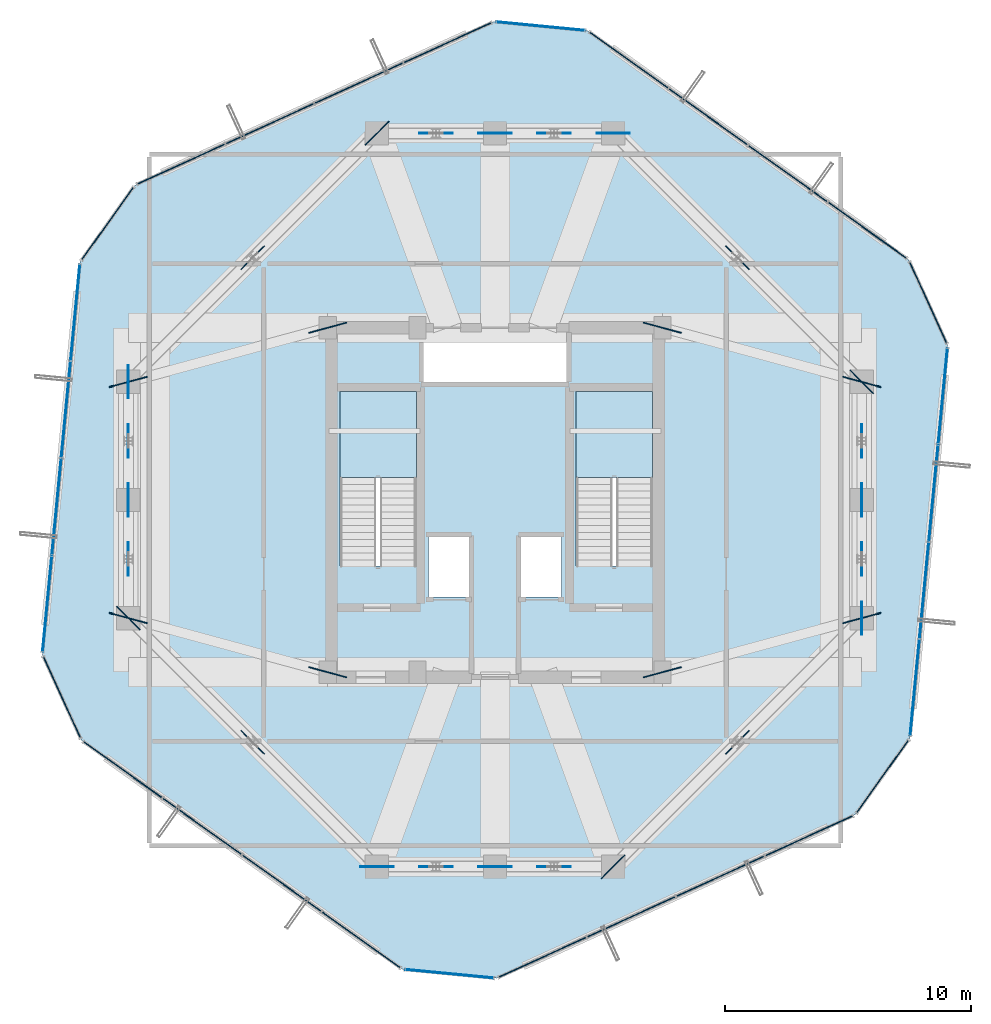
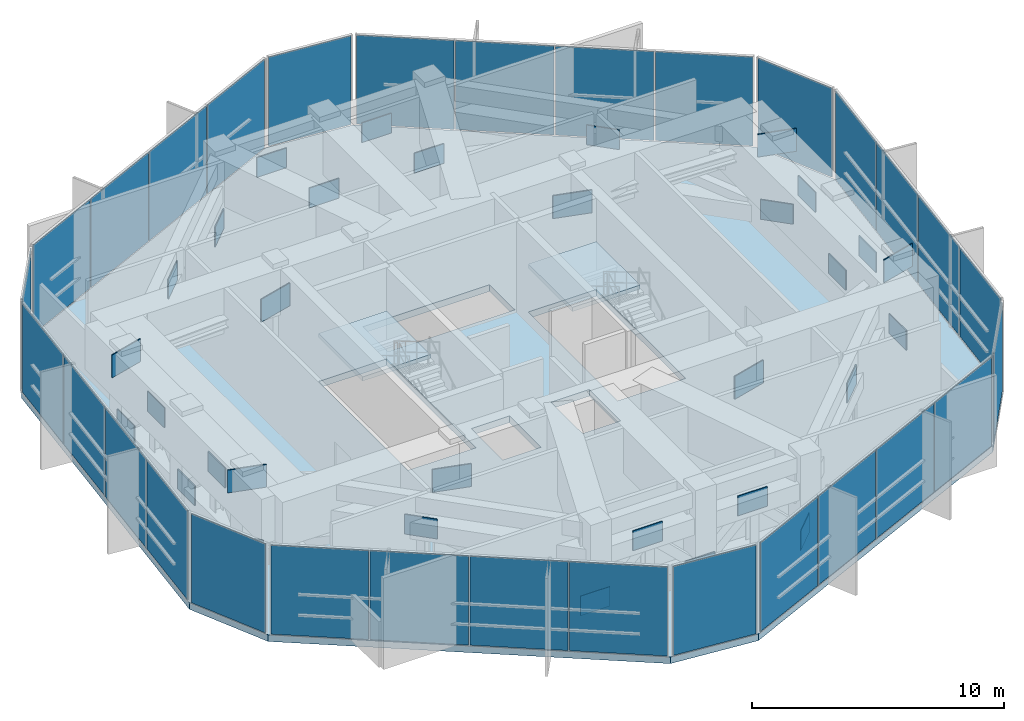
# One storey, part 27 of 31: 62 plates, 3 slabs, 14 elements without a shape of their own.
"""IFC4 building model written with IfcOpenShell, lengths in metres."""

from ifc_helpers import new_model, si_unit, direction, frame, origin, origin_2d, place, context, subcontext, project, spatial, polyline, rectangle, outline, extrude, source, transform, mapped, material, layer, layer_set, type_object, element, aggregate, save


model = new_model("IFC4")

# Units and contexts
model_context = context("Model", 3, precision=1e-05, world=origin(), true_north=direction((0.0, 1.0)))
body_context = subcontext(model_context, "Body", "Model", "MODEL_VIEW")
ifc_project = project(units=[si_unit("LENGTHUNIT", "METRE"), si_unit("AREAUNIT", "SQUARE_METRE"), si_unit("VOLUMEUNIT", "CUBIC_METRE"), si_unit("PLANEANGLEUNIT", "RADIAN"), si_unit("MASSUNIT", "GRAM", prefix="KILO")], contexts=[model_context])

# Site, building, storey
site_placement = place(None, origin())
site = spatial("IfcSite", under=ifc_project, at=site_placement, CompositionType="ELEMENT")
building_placement = place(site_placement, origin())
building = spatial("IfcBuilding", under=site, at=building_placement, Name="Veraguas Prism Commons", CompositionType="ELEMENT")
storey_placement = place(building_placement, frame((0.0, 0.0, 225.39990234375)))
storey = spatial("IfcBuildingStorey", under=building, at=storey_placement, Name="L64", CompositionType="ELEMENT", Elevation=225.39990234375)

# Slab
ifc_material_1 = material(Name="Concrete C45/55", Category="concrete")
ifc_layer_1 = layer(ifc_material_1, 0.320068359375, Name="Plant Refuge and Sky Lobby Slab RC 320", Category="concrete")
ifc_layer_set_1 = layer_set([ifc_layer_1], Name="Concrete C45/55")
slab_type_1 = type_object("IfcSlabType", Name="Plant Refuge and Sky Lobby Slab RC 320", PredefinedType="FLOOR", material=ifc_layer_set_1)
slab_1_placement = place(storey_placement, frame((0.0, 0.0, -0.31982421875)))
element("IfcSlab", 1, at=slab_1_placement, inside=storey, type_object=slab_type_1, Name="Tower Floor Slab L64", PredefinedType="FLOOR", context=body_context, shape_type="SweptSolid", body=[
    extrude(outline(polyline([(42.396484375, 30.27685546875), (40.806396484375, 33.76611328125), (27.76220703125, 43.0703125), (23.945556640625, 43.437744140625), (9.36572265625, 36.79345703125), (7.13916015625, 33.671875), (5.603515625, 17.72314453125), (7.193603515625, 14.23388671875), (20.23779296875, 4.9296875), (24.054443359375, 4.562255859375), (38.63427734375, 11.20654296875), (40.86083984375, 14.328125), (42.396484375, 30.27685546875)]), holes=[polyline([(20.800048828125, 21.31005859375), (20.800048828125, 28.39990234375), (17.68994140625, 28.39990234375), (17.68994140625, 21.31005859375), (20.800048828125, 21.31005859375)]), polyline([(30.39990234375, 21.31005859375), (30.39990234375, 28.39990234375), (27.2900390625, 28.39990234375), (27.2900390625, 21.31005859375), (30.39990234375, 21.31005859375)]), polyline([(21.10009765625, 28.800048828125), (26.89990234375, 28.800048828125), (26.89990234375, 30.800048828125), (21.10009765625, 30.800048828125), (21.10009765625, 28.800048828125)]), polyline([(21.300048828125, 20.050048828125), (23.050048828125, 20.050048828125), (23.050048828125, 22.550048828125), (21.300048828125, 22.550048828125), (21.300048828125, 20.050048828125)]), polyline([(24.949951171875, 20.050048828125), (26.699951171875, 20.050048828125), (26.699951171875, 22.550048828125), (24.949951171875, 22.550048828125), (24.949951171875, 20.050048828125)])]), origin(), (0.0, 0.0, 1.0), 0.31982421875),
])

# Stair, slab
ifc_material_2 = material(Name="Precast concrete C45/55", Category="concrete")
stair_type = type_object("IfcStairType", Name="Dogleg Core Stair 1480W 28R 07", PredefinedType="HALF_TURN_STAIR", material=ifc_material_2)
stair_1_placement = place(storey_placement, origin())
stair_1 = element("IfcStair", 2, at=stair_1_placement, inside=storey, type_object=stair_type, Name="Protected Exit Stair ST-01 L64", PredefinedType="HALF_TURN_STAIR")
ifc_layer_2 = layer(ifc_material_2, 0.199951171875, Name="Precast Stair and Ramp Landing Slab 200", Category="concrete")
ifc_layer_set_2 = layer_set([ifc_layer_2], Name="Precast concrete C45/55")
slab_type_2 = type_object("IfcSlabType", Name="Precast Stair and Ramp Landing Slab 200", PredefinedType="LANDING", material=ifc_layer_set_2)
slab_2_placement = place(storey_placement, frame((0.0, 0.0, 2.125)))
slab_2 = element("IfcSlab", 3, at=slab_2_placement, type_object=slab_type_2, Name="ST-07 Landing 1", PredefinedType="LANDING", context=body_context, shape_type="SweptSolid", body=[
    extrude(outline(polyline([(20.800048828125, 24.919921875), (20.800048828125, 28.39990234375), (17.68994140625, 28.39990234375), (17.68994140625, 24.919921875), (20.800048828125, 24.919921875)])), origin(), (0.0, 0.0, 1.0), 0.2001953125),
])
aggregate(stair_1, [slab_2])

stair_2_placement = place(storey_placement, origin())
stair_2 = element("IfcStair", 4, at=stair_2_placement, inside=storey, type_object=stair_type, Name="Protected Exit Stair ST-02 L64", PredefinedType="HALF_TURN_STAIR")
slab_3_placement = place(storey_placement, frame((0.0, 0.0, 2.125)))
slab_3 = element("IfcSlab", 5, at=slab_3_placement, type_object=slab_type_2, Name="ST-07 Landing 1", PredefinedType="LANDING", context=body_context, shape_type="SweptSolid", body=[
    extrude(outline(polyline([(30.39990234375, 24.919921875), (30.39990234375, 28.39990234375), (27.2900390625, 28.39990234375), (27.2900390625, 24.919921875), (30.39990234375, 24.919921875)])), origin(), (0.0, 0.0, 1.0), 0.2001953125),
])
aggregate(stair_2, [slab_3])

# Plates
ifc_material_3 = material(Name="Steel ASTM A572 Grade 50", Category="steel")
ifc_layer_3 = layer(ifc_material_3, 0.0400390625, Name="Belt Truss Node Gusset Plate 1350x950x40", Category="steel")
ifc_layer_set_3 = layer_set([ifc_layer_3], Name="Steel ASTM A572 Grade 50")
plate_type_1 = type_object("IfcPlateType", Name="Belt Truss Node Gusset Plate 1350x950x40", PredefinedType="USERDEFINED", material=ifc_layer_set_3)
shared_shape_1 = source(origin(), body_context, "Body", "SweptSolid", [
    extrude(rectangle(XDim=1.35009765625, YDim=0.0400390625, at=origin_2d()), origin(), (0.0, 0.0, 1.0), 0.949951171875),
])
for number, where, z_axis, x_axis, name in (
    (6, (38.89990234375, 21.60009765625, 2.39013671875), (0.0, 0.0, 1.0), (0.0, 1.0, 0.0), "Belt Truss Node Gusset KN2-L64-01"),
    (7, (38.89990234375, 19.199951171875, 0.0751953125), (0.0, 0.0, 1.0), (0.0, 1.0, 0.0), "Belt Truss Column Foot Gusset L64-01"),
    (8, (38.89990234375, 26.39990234375, 2.39013671875), (0.0, 0.0, 1.0), (0.0, 1.0, 0.0), "Belt Truss Node Gusset KN2-L64-02"),
    (9, (38.89990234375, 24.0, 0.0751953125), (0.0, 0.0, 1.0), (0.0, 1.0, 0.0), "Belt Truss Column Foot Gusset L64-02"),
    (10, (33.85009765625, 33.85009765625, 2.39013671875), (0.0, 0.0, 1.0), (-0.707106781187, 0.707106781187, 0.0), "Belt Truss Node Gusset KN2-L64-03"),
    (11, (38.89990234375, 28.800048828125, 0.0751953125), (0.0, 0.0, 1.0), (-0.707106781187, 0.707106781187, 0.0), "Belt Truss Column Foot Gusset L64-03"),
    (12, (26.39990234375, 38.89990234375, 2.39013671875), (0.0, 0.0, 1.0), (-1.0, 0.0, 0.0), "Belt Truss Node Gusset KN2-L64-04"),
    (13, (28.800048828125, 38.89990234375, 0.0751953125), (0.0, 0.0, 1.0), (-1.0, 0.0, 0.0), "Belt Truss Column Foot Gusset L64-04"),
    (14, (21.60009765625, 38.89990234375, 2.39013671875), (0.0, 0.0, 1.0), (-1.0, 0.0, 0.0), "Belt Truss Node Gusset KN2-L64-05"),
    (15, (24.0, 38.89990234375, 0.0751953125), (0.0, 0.0, 1.0), (-1.0, 0.0, 0.0), "Belt Truss Column Foot Gusset L64-05"),
    (16, (14.14990234375, 33.85009765625, 2.39013671875), (0.0, 0.0, 1.0), (-0.707106781187, -0.707106781187, 0.0), "Belt Truss Node Gusset KN2-L64-06"),
    (17, (19.199951171875, 38.89990234375, 0.0751953125), (0.0, 0.0, 1.0), (-0.707106781187, -0.707106781187, 0.0), "Belt Truss Column Foot Gusset L64-06"),
    (18, (9.10009765625, 26.39990234375, 2.39013671875), (0.0, 0.0, 1.0), (0.0, -1.0, 0.0), "Belt Truss Node Gusset KN2-L64-07"),
    (19, (9.10009765625, 28.800048828125, 0.0751953125), (0.0, 0.0, 1.0), (0.0, -1.0, 0.0), "Belt Truss Column Foot Gusset L64-07"),
    (20, (9.10009765625, 21.60009765625, 2.39013671875), (0.0, 0.0, 1.0), (0.0, -1.0, 0.0), "Belt Truss Node Gusset KN2-L64-08"),
    (21, (9.10009765625, 24.0, 0.0751953125), (0.0, 0.0, 1.0), (0.0, -1.0, 0.0), "Belt Truss Column Foot Gusset L64-08"),
    (22, (14.14990234375, 14.14990234375, 2.39013671875), (0.0, 0.0, 1.0), (0.707106781187, -0.707106781187, 0.0), "Belt Truss Node Gusset KN2-L64-09"),
    (23, (9.10009765625, 19.199951171875, 0.0751953125), (0.0, 0.0, 1.0), (0.707106781187, -0.707106781187, 0.0), "Belt Truss Column Foot Gusset L64-09"),
    (24, (21.60009765625, 9.10009765625, 2.39013671875), (0.0, 0.0, 1.0), (1.0, 0.0, 0.0), "Belt Truss Node Gusset KN2-L64-10"),
    (25, (19.199951171875, 9.10009765625, 0.0751953125), (0.0, 0.0, 1.0), (1.0, 0.0, 0.0), "Belt Truss Column Foot Gusset L64-10"),
    (26, (26.39990234375, 9.10009765625, 2.39013671875), (0.0, 0.0, 1.0), (1.0, 0.0, 0.0), "Belt Truss Node Gusset KN2-L64-11"),
    (27, (24.0, 9.10009765625, 0.0751953125), (0.0, 0.0, 1.0), (1.0, 0.0, 0.0), "Belt Truss Column Foot Gusset L64-11"),
    (28, (33.85009765625, 14.14990234375, 2.39013671875), (0.0, 0.0, 1.0), (0.707106781187, 0.707106781187, 0.0), "Belt Truss Node Gusset KN2-L64-12"),
    (29, (28.800048828125, 9.10009765625, 0.0751953125), (0.0, 0.0, 1.0), (0.707106781187, 0.707106781187, 0.0), "Belt Truss Column Foot Gusset L64-12"),
):
    element("IfcPlate", number, at=place(storey_placement, frame(where, z_axis=z_axis, x_axis=x_axis)), inside=storey, type_object=plate_type_1, Name=name, ObjectType="GUSSET PLATE", PredefinedType="USERDEFINED", context=body_context, shape_type="MappedRepresentation", body=[
        mapped(shared_shape_1, transform((0.0, 0.0, 0.0), scale=1.0)),
    ])
ifc_layer_4 = layer(ifc_material_3, 0.044921875, Name="Outrigger Truss Gusset Plate 1600x1100x45", Category="steel")
ifc_layer_set_4 = layer_set([ifc_layer_4], Name="Steel ASTM A572 Grade 50")
plate_type_2 = type_object("IfcPlateType", Name="Outrigger Truss Gusset Plate 1600x1100x45", PredefinedType="USERDEFINED", material=ifc_layer_set_4)
shared_shape_2 = source(origin(), body_context, "Body", "SweptSolid", [
    extrude(rectangle(XDim=1.60009765625, YDim=0.044921875, at=origin_2d()), origin(), (0.0, 0.0, 1.0), 1.10009765625),
])
for number, where, z_axis, x_axis, name in (
    (30, (30.800048828125, 17.0, 1.8701171875), (0.0, 0.0, 1.0), (0.965038456195, 0.262108332688, 0.0), "Outrigger Core Node Gusset KN1-L64-01"),
    (31, (38.89990234375, 19.199951171875, 3.344970703125), (0.0, 0.0, 1.0), (0.965038456195, 0.262108332688, 0.0), "Outrigger Perimeter Node Gusset L64-01"),
    (32, (30.800048828125, 31.0, 1.8701171875), (0.0, 0.0, 1.0), (0.965038456195, -0.262108332688, 0.0), "Outrigger Core Node Gusset KN1-L64-02"),
    (33, (38.89990234375, 28.800048828125, 3.344970703125), (0.0, 0.0, 1.0), (0.965038456195, -0.262108332688, 0.0), "Outrigger Perimeter Node Gusset L64-02"),
    (34, (17.199951171875, 31.0, 1.8701171875), (0.0, 0.0, 1.0), (-0.965038456195, -0.262108332688, 0.0), "Outrigger Core Node Gusset KN1-L64-03"),
    (35, (9.10009765625, 28.800048828125, 3.344970703125), (0.0, 0.0, 1.0), (-0.965038456195, -0.262108332688, 0.0), "Outrigger Perimeter Node Gusset L64-03"),
    (36, (17.199951171875, 17.0, 1.8701171875), (0.0, 0.0, 1.0), (-0.965038456195, 0.262108332688, 0.0), "Outrigger Core Node Gusset KN1-L64-04"),
    (37, (9.10009765625, 19.199951171875, 3.344970703125), (0.0, 0.0, 1.0), (-0.965038456195, 0.262108332688, 0.0), "Outrigger Perimeter Node Gusset L64-04"),
):
    element("IfcPlate", number, at=place(storey_placement, frame(where, z_axis=z_axis, x_axis=x_axis)), inside=storey, type_object=plate_type_2, Name=name, ObjectType="GUSSET PLATE", PredefinedType="USERDEFINED", context=body_context, shape_type="MappedRepresentation", body=[
        mapped(shared_shape_2, transform((0.0, 0.0, 0.0), scale=1.0)),
    ])

# Curtain wall, plates
ifc_material_4 = material(Name="Anodised aluminium EN AW-6063 T6", Category="aluminium")
ifc_layer_5 = layer(ifc_material_4, 0.14990234375, Name="Unitised Flush Curtain Wall Zone 3", Category="aluminium")
ifc_layer_set_5 = layer_set([ifc_layer_5], Name="Anodised aluminium EN AW-6063 T6")
curtain_wall_type = type_object("IfcCurtainWallType", Name="Unitised Flush Curtain Wall Zone 3", PredefinedType="NOTDEFINED", material=ifc_layer_set_5)
curtain_wall_1_placement = place(storey_placement, origin())
curtain_wall_1 = element("IfcCurtainWall", 38, at=curtain_wall_1_placement, inside=storey, type_object=curtain_wall_type, Name="Tower Facade Curtain Wall L64-F1", PredefinedType="NOTDEFINED")
ifc_material_5 = material(Name="Spandrel frit insulated glass", Category="glass")
ifc_layer_6 = layer(ifc_material_5, 0.0400390625, Name="Insulated Pale-Metal Spandrel Panel 40", Category="glass")
ifc_layer_set_6 = layer_set([ifc_layer_6], Name="Spandrel frit insulated glass")
plate_type_3 = type_object("IfcPlateType", Name="Insulated Pale-Metal Spandrel Panel 40", PredefinedType="SHEET", material=ifc_layer_set_6)
shared_shape_3 = source(origin(), body_context, "Body", "SweptSolid", [
    extrude(rectangle(XDim=3.8857421875, YDim=0.0400390625, at=origin_2d()), origin(), (0.0, 0.0, 1.0), 4.304931640625),
])
plate_1_placement = place(storey_placement, frame((39.127197265625, 34.9638671875, 0.05517578125), z_axis=(0.0, 0.0, 1.0), x_axis=(-0.814113491316, 0.580705797507, 0.0)))
plate_1 = element("IfcPlate", 39, at=plate_1_placement, type_object=plate_type_3, Name="CW-Z3 Panel 1.1", PredefinedType="SHEET", context=body_context, shape_type="MappedRepresentation", body=[
    mapped(shared_shape_3, transform((0.0, 0.0, 0.0), scale=1.0)),
])
plate_2_placement = place(storey_placement, frame((29.441650390625, 41.87255859375, 0.05517578125), z_axis=(0.0, 0.0, 1.0), x_axis=(-0.814113491316, 0.580705797507, 0.0)))
plate_2 = element("IfcPlate", 40, at=plate_2_placement, type_object=plate_type_3, Name="CW-Z3 Panel 4.1", PredefinedType="SHEET", context=body_context, shape_type="MappedRepresentation", body=[
    mapped(shared_shape_3, transform((0.0, 0.0, 0.0), scale=1.0)),
])

curtain_wall_2_placement = place(storey_placement, origin())
curtain_wall_2 = element("IfcCurtainWall", 41, at=curtain_wall_2_placement, inside=storey, type_object=curtain_wall_type, Name="Tower Facade Curtain Wall L64-F3", PredefinedType="NOTDEFINED")
plate_3_placement = place(storey_placement, frame((6.94140625, 31.618408203125, 0.05517578125), z_axis=(0.0, 0.0, 1.0), x_axis=(-0.095840540637, -0.995396700201, 0.0)))
plate_3 = element("IfcPlate", 42, at=plate_3_placement, type_object=plate_type_3, Name="CW-Z3 Panel 1.1", PredefinedType="SHEET", context=body_context, shape_type="MappedRepresentation", body=[
    mapped(shared_shape_3, transform((0.0, 0.0, 0.0), scale=1.0)),
])
plate_4_placement = place(storey_placement, frame((5.80126953125, 19.7763671875, 0.05517578125), z_axis=(0.0, 0.0, 1.0), x_axis=(-0.095840540637, -0.995396700201, 0.0)))
plate_4 = element("IfcPlate", 43, at=plate_4_placement, type_object=plate_type_3, Name="CW-Z3 Panel 4.1", PredefinedType="SHEET", context=body_context, shape_type="MappedRepresentation", body=[
    mapped(shared_shape_3, transform((0.0, 0.0, 0.0), scale=1.0)),
])

curtain_wall_3_placement = place(storey_placement, origin())
curtain_wall_3 = element("IfcCurtainWall", 44, at=curtain_wall_3_placement, inside=storey, type_object=curtain_wall_type, Name="Tower Facade Curtain Wall L64-F4", PredefinedType="NOTDEFINED")
plate_5_placement = place(storey_placement, frame((8.872802734375, 13.0361328125, 0.05517578125), z_axis=(0.0, 0.0, 1.0), x_axis=(0.814113491316, -0.580705797507, 0.0)))
plate_5 = element("IfcPlate", 45, at=plate_5_placement, type_object=plate_type_3, Name="CW-Z3 Panel 1.1", PredefinedType="SHEET", context=body_context, shape_type="MappedRepresentation", body=[
    mapped(shared_shape_3, transform((0.0, 0.0, 0.0), scale=1.0)),
])
plate_6_placement = place(storey_placement, frame((18.558349609375, 6.12744140625, 0.05517578125), z_axis=(0.0, 0.0, 1.0), x_axis=(0.814113491316, -0.580705797507, 0.0)))
plate_6 = element("IfcPlate", 46, at=plate_6_placement, type_object=plate_type_3, Name="CW-Z3 Panel 4.1", PredefinedType="SHEET", context=body_context, shape_type="MappedRepresentation", body=[
    mapped(shared_shape_3, transform((0.0, 0.0, 0.0), scale=1.0)),
])

curtain_wall_4_placement = place(storey_placement, origin())
curtain_wall_4 = element("IfcCurtainWall", 47, at=curtain_wall_4_placement, inside=storey, type_object=curtain_wall_type, Name="Tower Facade Curtain Wall L64-F6", PredefinedType="NOTDEFINED")
plate_7_placement = place(storey_placement, frame((41.05859375, 16.381591796875, 0.05517578125), z_axis=(0.0, 0.0, 1.0), x_axis=(0.095840540637, 0.995396700201, 0.0)))
plate_7 = element("IfcPlate", 48, at=plate_7_placement, type_object=plate_type_3, Name="CW-Z3 Panel 1.1", PredefinedType="SHEET", context=body_context, shape_type="MappedRepresentation", body=[
    mapped(shared_shape_3, transform((0.0, 0.0, 0.0), scale=1.0)),
])
plate_8_placement = place(storey_placement, frame((42.19873046875, 28.2236328125, 0.05517578125), z_axis=(0.0, 0.0, 1.0), x_axis=(0.095840540637, 0.995396700201, 0.0)))
plate_8 = element("IfcPlate", 49, at=plate_8_placement, type_object=plate_type_3, Name="CW-Z3 Panel 4.1", PredefinedType="SHEET", context=body_context, shape_type="MappedRepresentation", body=[
    mapped(shared_shape_3, transform((0.0, 0.0, 0.0), scale=1.0)),
])

# Plate
shared_shape_4 = source(origin(), body_context, "Body", "SweptSolid", [
    extrude(rectangle(XDim=3.91552734375, YDim=0.0400390625, at=origin_2d()), origin(), (0.0, 0.0, 1.0), 4.304931640625),
])
plate_9_placement = place(storey_placement, frame((35.902587890625, 37.263916015625, 0.05517578125), z_axis=(0.0, 0.0, 1.0), x_axis=(-0.814113491316, 0.580705797507, 0.0)))
plate_9 = element("IfcPlate", 50, at=plate_9_placement, type_object=plate_type_3, Name="CW-Z3 Panel 2.1", PredefinedType="SHEET", context=body_context, shape_type="MappedRepresentation", body=[
    mapped(shared_shape_4, transform((0.0, 0.0, 0.0), scale=1.0)),
])

plate_10_placement = place(storey_placement, frame((32.666015625, 39.572509765625, 0.05517578125), z_axis=(0.0, 0.0, 1.0), x_axis=(-0.814113491316, 0.580705797507, 0.0)))
plate_10 = element("IfcPlate", 51, at=plate_10_placement, type_object=plate_type_3, Name="CW-Z3 Panel 3.1", PredefinedType="SHEET", context=body_context, shape_type="MappedRepresentation", body=[
    mapped(shared_shape_4, transform((0.0, 0.0, 0.0), scale=1.0)),
])

aggregate(curtain_wall_1, [plate_1, plate_9, plate_10, plate_2])

# Curtain wall, plates
curtain_wall_5_placement = place(storey_placement, origin())
curtain_wall_5 = element("IfcCurtainWall", 52, at=curtain_wall_5_placement, inside=storey, type_object=curtain_wall_type, Name="Tower Facade Curtain Wall L64-F2", PredefinedType="NOTDEFINED")
plate_11_placement = place(storey_placement, frame((18.464599609375, 40.93994140625, 0.05517578125), z_axis=(0.0, 0.0, 1.0), x_axis=(-0.909961994651, -0.414691654474, 0.0)))
plate_11 = element("IfcPlate", 53, at=plate_11_placement, type_object=plate_type_3, Name="CW-Z3 Panel 2.1", PredefinedType="SHEET", context=body_context, shape_type="MappedRepresentation", body=[
    mapped(shared_shape_4, transform((0.0, 0.0, 0.0), scale=1.0)),
])
plate_12_placement = place(storey_placement, frame((14.846923828125, 39.291259765625, 0.05517578125), z_axis=(0.0, 0.0, 1.0), x_axis=(-0.909961994651, -0.414691654474, 0.0)))
plate_12 = element("IfcPlate", 54, at=plate_12_placement, type_object=plate_type_3, Name="CW-Z3 Panel 3.1", PredefinedType="SHEET", context=body_context, shape_type="MappedRepresentation", body=[
    mapped(shared_shape_4, transform((0.0, 0.0, 0.0), scale=1.0)),
])

# Plate
plate_13_placement = place(storey_placement, frame((6.561767578125, 27.676025390625, 0.05517578125), z_axis=(0.0, 0.0, 1.0), x_axis=(-0.095840540637, -0.995396700201, 0.0)))
plate_13 = element("IfcPlate", 55, at=plate_13_placement, type_object=plate_type_3, Name="CW-Z3 Panel 2.1", PredefinedType="SHEET", context=body_context, shape_type="MappedRepresentation", body=[
    mapped(shared_shape_4, transform((0.0, 0.0, 0.0), scale=1.0)),
])

plate_14_placement = place(storey_placement, frame((6.180908203125, 23.71875, 0.05517578125), z_axis=(0.0, 0.0, 1.0), x_axis=(-0.095840540637, -0.995396700201, 0.0)))
plate_14 = element("IfcPlate", 56, at=plate_14_placement, type_object=plate_type_3, Name="CW-Z3 Panel 3.1", PredefinedType="SHEET", context=body_context, shape_type="MappedRepresentation", body=[
    mapped(shared_shape_4, transform((0.0, 0.0, 0.0), scale=1.0)),
])

aggregate(curtain_wall_2, [plate_3, plate_13, plate_14, plate_4])

plate_15_placement = place(storey_placement, frame((12.097412109375, 10.736083984375, 0.05517578125), z_axis=(0.0, 0.0, 1.0), x_axis=(0.814113491316, -0.580705797507, 0.0)))
plate_15 = element("IfcPlate", 57, at=plate_15_placement, type_object=plate_type_3, Name="CW-Z3 Panel 2.1", PredefinedType="SHEET", context=body_context, shape_type="MappedRepresentation", body=[
    mapped(shared_shape_4, transform((0.0, 0.0, 0.0), scale=1.0)),
])

plate_16_placement = place(storey_placement, frame((15.333984375, 8.427490234375, 0.05517578125), z_axis=(0.0, 0.0, 1.0), x_axis=(0.814113491316, -0.580705797507, 0.0)))
plate_16 = element("IfcPlate", 58, at=plate_16_placement, type_object=plate_type_3, Name="CW-Z3 Panel 3.1", PredefinedType="SHEET", context=body_context, shape_type="MappedRepresentation", body=[
    mapped(shared_shape_4, transform((0.0, 0.0, 0.0), scale=1.0)),
])

aggregate(curtain_wall_3, [plate_5, plate_15, plate_16, plate_6])

# Curtain wall, plates
curtain_wall_6_placement = place(storey_placement, origin())
curtain_wall_6 = element("IfcCurtainWall", 59, at=curtain_wall_6_placement, inside=storey, type_object=curtain_wall_type, Name="Tower Facade Curtain Wall L64-F5", PredefinedType="NOTDEFINED")
plate_17_placement = place(storey_placement, frame((29.535400390625, 7.06005859375, 0.05517578125), z_axis=(0.0, 0.0, 1.0), x_axis=(0.909961994651, 0.414691654474, 0.0)))
plate_17 = element("IfcPlate", 60, at=plate_17_placement, type_object=plate_type_3, Name="CW-Z3 Panel 2.1", PredefinedType="SHEET", context=body_context, shape_type="MappedRepresentation", body=[
    mapped(shared_shape_4, transform((0.0, 0.0, 0.0), scale=1.0)),
])
plate_18_placement = place(storey_placement, frame((33.153076171875, 8.708740234375, 0.05517578125), z_axis=(0.0, 0.0, 1.0), x_axis=(0.909961994651, 0.414691654474, 0.0)))
plate_18 = element("IfcPlate", 61, at=plate_18_placement, type_object=plate_type_3, Name="CW-Z3 Panel 3.1", PredefinedType="SHEET", context=body_context, shape_type="MappedRepresentation", body=[
    mapped(shared_shape_4, transform((0.0, 0.0, 0.0), scale=1.0)),
])

# Plate
plate_19_placement = place(storey_placement, frame((41.438232421875, 20.323974609375, 0.05517578125), z_axis=(0.0, 0.0, 1.0), x_axis=(0.095840540637, 0.995396700201, 0.0)))
plate_19 = element("IfcPlate", 62, at=plate_19_placement, type_object=plate_type_3, Name="CW-Z3 Panel 2.1", PredefinedType="SHEET", context=body_context, shape_type="MappedRepresentation", body=[
    mapped(shared_shape_4, transform((0.0, 0.0, 0.0), scale=1.0)),
])

plate_20_placement = place(storey_placement, frame((41.819091796875, 24.28125, 0.05517578125), z_axis=(0.0, 0.0, 1.0), x_axis=(0.095840540637, 0.995396700201, 0.0)))
plate_20 = element("IfcPlate", 63, at=plate_20_placement, type_object=plate_type_3, Name="CW-Z3 Panel 3.1", PredefinedType="SHEET", context=body_context, shape_type="MappedRepresentation", body=[
    mapped(shared_shape_4, transform((0.0, 0.0, 0.0), scale=1.0)),
])

aggregate(curtain_wall_4, [plate_7, plate_19, plate_20, plate_8])

shared_shape_5 = source(origin(), body_context, "Body", "SweptSolid", [
    extrude(rectangle(XDim=3.885498046875, YDim=0.0400390625, at=origin_2d()), origin(), (0.0, 0.0, 1.0), 4.304931640625),
])
plate_21_placement = place(storey_placement, frame((22.068603515625, 42.582275390625, 0.05517578125), z_axis=(0.0, 0.0, 1.0), x_axis=(-0.909961994651, -0.414691654474, 0.0)))
plate_21 = element("IfcPlate", 64, at=plate_21_placement, type_object=plate_type_3, Name="CW-Z3 Panel 1.1", PredefinedType="SHEET", context=body_context, shape_type="MappedRepresentation", body=[
    mapped(shared_shape_5, transform((0.0, 0.0, 0.0), scale=1.0)),
])

plate_22_placement = place(storey_placement, frame((11.242919921875, 37.64892578125, 0.05517578125), z_axis=(0.0, 0.0, 1.0), x_axis=(-0.909961994651, -0.414691654474, 0.0)))
plate_22 = element("IfcPlate", 65, at=plate_22_placement, type_object=plate_type_3, Name="CW-Z3 Panel 4.1", PredefinedType="SHEET", context=body_context, shape_type="MappedRepresentation", body=[
    mapped(shared_shape_5, transform((0.0, 0.0, 0.0), scale=1.0)),
])

aggregate(curtain_wall_5, [plate_21, plate_11, plate_12, plate_22])

plate_23_placement = place(storey_placement, frame((25.931396484375, 5.417724609375, 0.05517578125), z_axis=(0.0, 0.0, 1.0), x_axis=(0.909961994651, 0.414691654474, 0.0)))
plate_23 = element("IfcPlate", 66, at=plate_23_placement, type_object=plate_type_3, Name="CW-Z3 Panel 1.1", PredefinedType="SHEET", context=body_context, shape_type="MappedRepresentation", body=[
    mapped(shared_shape_5, transform((0.0, 0.0, 0.0), scale=1.0)),
])

plate_24_placement = place(storey_placement, frame((36.757080078125, 10.35107421875, 0.05517578125), z_axis=(0.0, 0.0, 1.0), x_axis=(0.909961994651, 0.414691654474, 0.0)))
plate_24 = element("IfcPlate", 67, at=plate_24_placement, type_object=plate_type_3, Name="CW-Z3 Panel 4.1", PredefinedType="SHEET", context=body_context, shape_type="MappedRepresentation", body=[
    mapped(shared_shape_5, transform((0.0, 0.0, 0.0), scale=1.0)),
])

aggregate(curtain_wall_6, [plate_23, plate_17, plate_18, plate_24])

# Curtain wall, plate
curtain_wall_7_placement = place(storey_placement, origin())
curtain_wall_7 = element("IfcCurtainWall", 68, at=curtain_wall_7_placement, inside=storey, type_object=curtain_wall_type, Name="Chamfer Curtain Wall L64-C1", PredefinedType="NOTDEFINED")
shared_shape_6 = source(origin(), body_context, "Body", "SweptSolid", [
    extrude(rectangle(XDim=3.59423828125, YDim=0.0400390625, at=origin_2d()), origin(), (0.0, 0.0, 1.0), 4.304931640625),
])
plate_25_placement = place(storey_placement, frame((41.6015625, 32.021484375, 0.05517578125), z_axis=(0.0, 0.0, 1.0), x_axis=(-0.414691654474, 0.909961994651, 0.0)))
plate_25 = element("IfcPlate", 69, at=plate_25_placement, type_object=plate_type_3, Name="CW-Z3 Panel 1.1", PredefinedType="SHEET", context=body_context, shape_type="MappedRepresentation", body=[
    mapped(shared_shape_6, transform((0.0, 0.0, 0.0), scale=1.0)),
])
aggregate(curtain_wall_7, [plate_25])

curtain_wall_8_placement = place(storey_placement, origin())
curtain_wall_8 = element("IfcCurtainWall", 70, at=curtain_wall_8_placement, inside=storey, type_object=curtain_wall_type, Name="Chamfer Curtain Wall L64-C4", PredefinedType="NOTDEFINED")
plate_26_placement = place(storey_placement, frame((6.3984375, 15.978515625, 0.05517578125), z_axis=(0.0, 0.0, 1.0), x_axis=(0.414691654474, -0.909961994651, 0.0)))
plate_26 = element("IfcPlate", 71, at=plate_26_placement, type_object=plate_type_3, Name="CW-Z3 Panel 1.1", PredefinedType="SHEET", context=body_context, shape_type="MappedRepresentation", body=[
    mapped(shared_shape_6, transform((0.0, 0.0, 0.0), scale=1.0)),
])
aggregate(curtain_wall_8, [plate_26])

curtain_wall_9_placement = place(storey_placement, origin())
curtain_wall_9 = element("IfcCurtainWall", 72, at=curtain_wall_9_placement, inside=storey, type_object=curtain_wall_type, Name="Chamfer Curtain Wall L64-C2", PredefinedType="NOTDEFINED")
shared_shape_7 = source(origin(), body_context, "Body", "SweptSolid", [
    extrude(rectangle(XDim=3.594482421875, YDim=0.0400390625, at=origin_2d()), origin(), (0.0, 0.0, 1.0), 4.304931640625),
])
plate_27_placement = place(storey_placement, frame((25.85400390625, 43.254150390625, 0.05517578125), z_axis=(0.0, 0.0, 1.0), x_axis=(-0.99539904173, 0.095816218478, 0.0)))
plate_27 = element("IfcPlate", 73, at=plate_27_placement, type_object=plate_type_3, Name="CW-Z3 Panel 1.1", PredefinedType="SHEET", context=body_context, shape_type="MappedRepresentation", body=[
    mapped(shared_shape_7, transform((0.0, 0.0, 0.0), scale=1.0)),
])
aggregate(curtain_wall_9, [plate_27])

curtain_wall_10_placement = place(storey_placement, origin())
curtain_wall_10 = element("IfcCurtainWall", 74, at=curtain_wall_10_placement, inside=storey, type_object=curtain_wall_type, Name="Chamfer Curtain Wall L64-C3", PredefinedType="NOTDEFINED")
plate_28_placement = place(storey_placement, frame((8.25244140625, 35.232666015625, 0.05517578125), z_axis=(0.0, 0.0, 1.0), x_axis=(-0.580702955711, -0.814115518356, 0.0)))
plate_28 = element("IfcPlate", 75, at=plate_28_placement, type_object=plate_type_3, Name="CW-Z3 Panel 1.1", PredefinedType="SHEET", context=body_context, shape_type="MappedRepresentation", body=[
    mapped(shared_shape_7, transform((0.0, 0.0, 0.0), scale=1.0)),
])
aggregate(curtain_wall_10, [plate_28])

curtain_wall_11_placement = place(storey_placement, origin())
curtain_wall_11 = element("IfcCurtainWall", 76, at=curtain_wall_11_placement, inside=storey, type_object=curtain_wall_type, Name="Chamfer Curtain Wall L64-C5", PredefinedType="NOTDEFINED")
plate_29_placement = place(storey_placement, frame((22.14599609375, 4.745849609375, 0.05517578125), z_axis=(0.0, 0.0, 1.0), x_axis=(0.99539904173, -0.095816218478, 0.0)))
plate_29 = element("IfcPlate", 77, at=plate_29_placement, type_object=plate_type_3, Name="CW-Z3 Panel 1.1", PredefinedType="SHEET", context=body_context, shape_type="MappedRepresentation", body=[
    mapped(shared_shape_7, transform((0.0, 0.0, 0.0), scale=1.0)),
])
aggregate(curtain_wall_11, [plate_29])

curtain_wall_12_placement = place(storey_placement, origin())
curtain_wall_12 = element("IfcCurtainWall", 78, at=curtain_wall_12_placement, inside=storey, type_object=curtain_wall_type, Name="Chamfer Curtain Wall L64-C6", PredefinedType="NOTDEFINED")
plate_30_placement = place(storey_placement, frame((39.74755859375, 12.767333984375, 0.05517578125), z_axis=(0.0, 0.0, 1.0), x_axis=(0.580702955711, 0.814115518356, 0.0)))
plate_30 = element("IfcPlate", 79, at=plate_30_placement, type_object=plate_type_3, Name="CW-Z3 Panel 1.1", PredefinedType="SHEET", context=body_context, shape_type="MappedRepresentation", body=[
    mapped(shared_shape_7, transform((0.0, 0.0, 0.0), scale=1.0)),
])
aggregate(curtain_wall_12, [plate_30])

save(model, "model.ifc")
